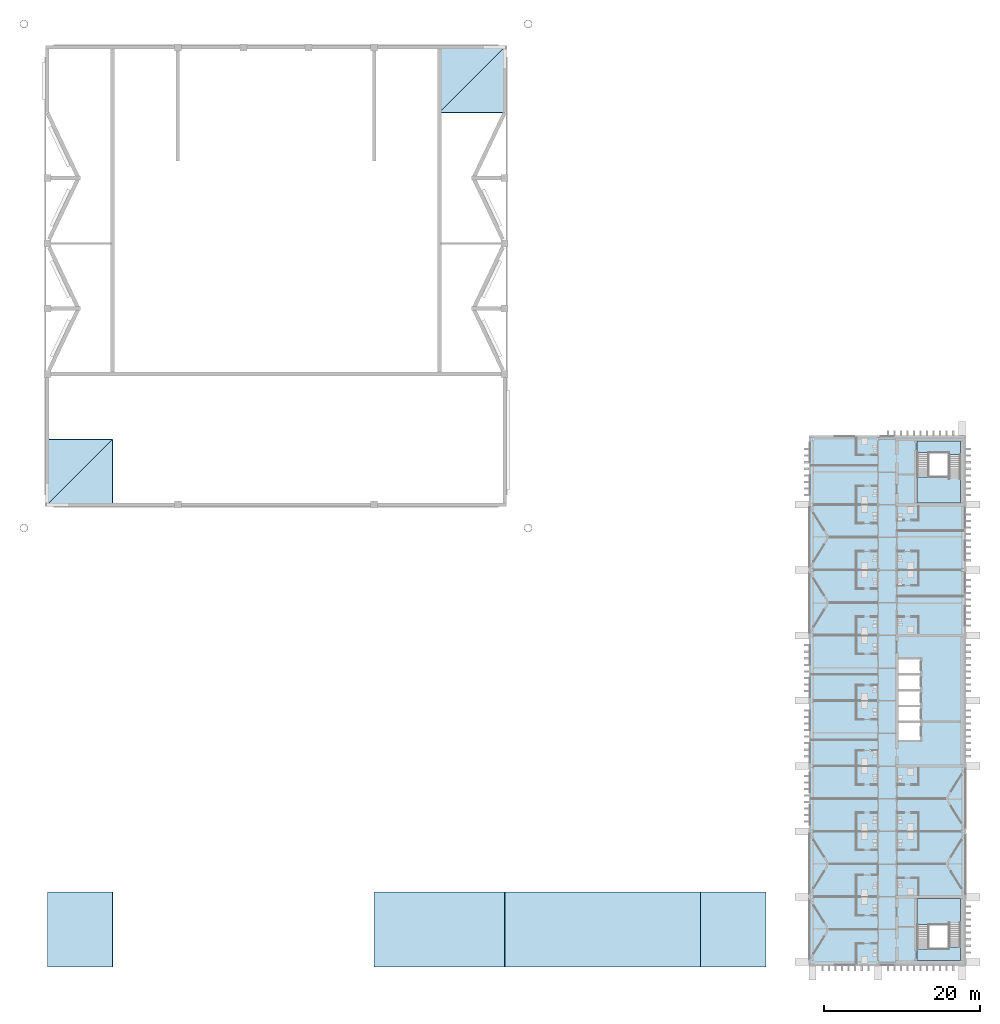
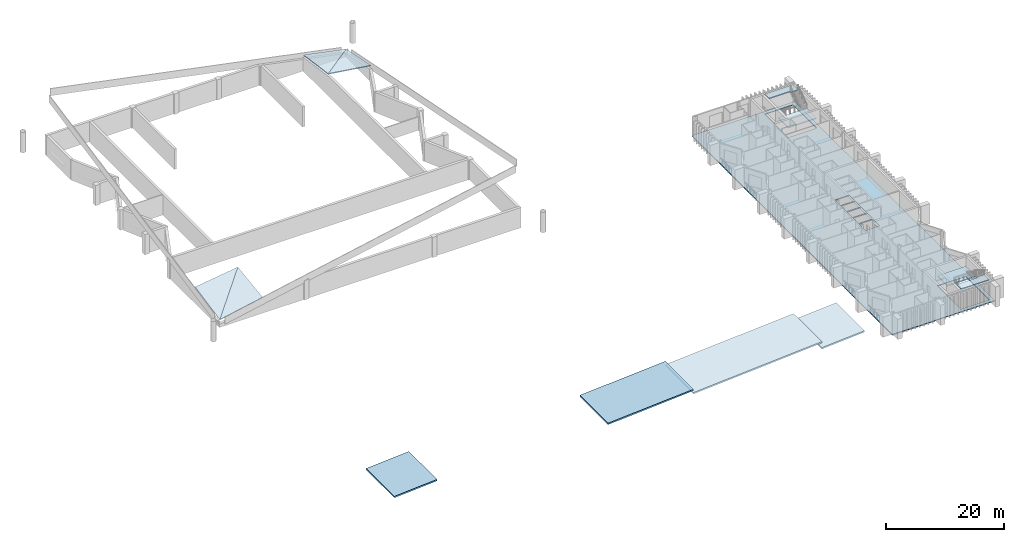
# One storey, part 8 of 21: 13 slabs, 2 elements without a shape of their own.
"""IFC4 building model written with IfcOpenShell, lengths in metres."""

from ifc_helpers import new_model, si_unit, direction, frame, origin, place, context, subcontext, project, spatial, polyline, outline, extrude, material, layer, layer_set, type_object, element, aggregate, save


model = new_model("IFC4")

# Units and contexts
model_context = context("Model", 3, precision=1e-05, world=origin(), true_north=direction((0.0, 1.0)))
body_context = subcontext(model_context, "Body", "Model", "MODEL_VIEW")
ifc_project = project(units=[si_unit("LENGTHUNIT", "METRE"), si_unit("AREAUNIT", "SQUARE_METRE"), si_unit("VOLUMEUNIT", "CUBIC_METRE"), si_unit("PLANEANGLEUNIT", "RADIAN"), si_unit("MASSUNIT", "GRAM", prefix="KILO")], contexts=[model_context])

# Site, building, storey
site_placement = place(None, origin())
site = spatial("IfcSite", under=ifc_project, at=site_placement, CompositionType="ELEMENT")
building_placement = place(site_placement, origin())
building = spatial("IfcBuilding", under=site, at=building_placement, Name="Cresset Court Congress Hotel", CompositionType="ELEMENT")
storey_placement = place(building_placement, frame((0.0, 0.0, 22.800048828125)))
storey = spatial("IfcBuildingStorey", under=building, at=storey_placement, Name="L05", CompositionType="ELEMENT", Elevation=22.800048828125)

# Slabs
ifc_material_1 = material(Name="Concrete C35", Category="concrete")
ifc_layer_1 = layer(ifc_material_1, 0.14990234375)
ifc_layer_set_1 = layer_set([ifc_layer_1], Name="Composite floor slab 150")
slab_type_1 = type_object("IfcSlabType", Name="Composite floor slab 150", PredefinedType="FLOOR", material=ifc_layer_set_1)
slab_1_placement = place(storey_placement, frame((0.0, 0.0, -0.150146484375)))
element("IfcSlab", 1, at=slab_1_placement, inside=storey, type_object=slab_type_1, Name="A.slab.L05", PredefinedType="FLOOR", context=body_context, shape_type="SweptSolid", body=[
    extrude(outline(polyline([(156.699951171875, -0.5), (176.89990234375, -0.5), (176.89990234375, 67.699951171875), (156.699951171875, 67.699951171875), (156.699951171875, -0.5)]), holes=[polyline([(170.60009765625, 0.199951171875), (176.199951171875, 0.199951171875), (176.199951171875, 8.199951171875), (170.60009765625, 8.199951171875), (170.60009765625, 0.199951171875)]), polyline([(170.60009765625, 59.0), (176.199951171875, 59.0), (176.199951171875, 67.0), (170.60009765625, 67.0), (170.60009765625, 59.0)]), polyline([(168.25, 28.550048828125), (171.0, 28.550048828125), (171.0, 30.75), (168.25, 30.75), (168.25, 28.550048828125)]), polyline([(168.25, 31.0), (171.0, 31.0), (171.0, 32.800048828125), (168.25, 32.800048828125), (168.25, 31.0)]), polyline([(168.25, 33.050048828125), (171.0, 33.050048828125), (171.0, 34.85009765625), (168.25, 34.85009765625), (168.25, 33.050048828125)]), polyline([(168.25, 35.10009765625), (171.0, 35.10009765625), (171.0, 36.89990234375), (168.25, 36.89990234375), (168.25, 35.10009765625)]), polyline([(168.25, 37.14990234375), (171.0, 37.14990234375), (171.0, 38.949951171875), (168.25, 38.949951171875), (168.25, 37.14990234375)])]), origin(), (0.0, 0.0, 1.0), 0.150146484375),
])
ifc_material_2 = material(Name="Concrete C50", Category="concrete")
ifc_layer_2 = layer(ifc_material_2, 0.300048828125)
ifc_layer_set_2 = layer_set([ifc_layer_2], Name="Folded roof plate 300")
slab_type_2 = type_object("IfcSlabType", Name="Folded roof plate 300", PredefinedType="ROOF", material=ifc_layer_set_2)
slab_2_placement = place(storey_placement, frame((58.800048828125, -0.60009765625, 0.699951171875), z_axis=(-0.069817009688, 0.0, 0.997559815329), x_axis=(0.997559815329, 0.0, 0.069817009688)))
element("IfcSlab", 2, at=slab_2_placement, inside=storey, type_object=slab_type_2, Name="Folded roof plate 3", PredefinedType="ROOF", context=body_context, shape_type="SweptSolid", body=[
    extrude(outline(polyline([(0.0, 0.0), (8.420449796269772, 0.0), (8.420449796269772, 9.600097656249998), (0.0, 9.600097656249998), (0.0, 0.0)])), origin(), (0.0, 0.0, -1.0), 0.300048828125),
])
slab_3_placement = place(storey_placement, frame((100.800048828125, -0.60009765625, 1.199951171875), z_axis=(-0.069830426038, 0.0, 0.997558876257), x_axis=(0.997558876257, 0.0, 0.069830426038)))
element("IfcSlab", 3, at=slab_3_placement, inside=storey, type_object=slab_type_2, Name="Folded roof plate 4", PredefinedType="ROOF", context=body_context, shape_type="SweptSolid", body=[
    extrude(outline(polyline([(0.0, 0.0), (16.841160184107835, 0.0), (16.841160184107835, 9.600097656250002), (0.0, 9.600097656250002), (0.0, 0.0)])), origin(), (0.0, 0.0, -1.0), 0.300048828125),
])
slab_4_placement = place(storey_placement, frame((117.60009765625, -0.60009765625, 1.699951171875), z_axis=(-0.069825953969, 0.0, 0.997559189298), x_axis=(0.997559189298, 0.0, 0.069825953969)))
element("IfcSlab", 4, at=slab_4_placement, inside=storey, type_object=slab_type_2, Name="Folded roof plate 5", PredefinedType="ROOF", context=body_context, shape_type="SweptSolid", body=[
    extrude(outline(polyline([(0.0, 0.0), (25.261609979869903, 0.0), (25.261609979869903, 9.600097656250002), (0.0, 9.600097656250002), (0.0, 0.0)])), origin(), (0.0, 0.0, -1.0), 0.300048828125),
])
slab_5_placement = place(storey_placement, frame((142.800048828125, -0.60009765625, 2.199951171875), z_axis=(-0.069817009688, 0.0, 0.997559815329), x_axis=(0.997559815329, 0.0, 0.069817009688)))
element("IfcSlab", 5, at=slab_5_placement, inside=storey, type_object=slab_type_2, Name="Folded roof plate 6", PredefinedType="ROOF", context=body_context, shape_type="SweptSolid", body=[
    extrude(outline(polyline([(0.0, 0.0), (8.420449796269772, 0.0), (8.420449796269772, 9.600097656249998), (0.0, 9.600097656249998), (0.0, 0.0)])), origin(), (0.0, 0.0, -1.0), 0.300048828125),
])
ifc_material_3 = material(Name="Titanium-zinc standing seam roof panel")
ifc_layer_3 = layer(ifc_material_3, 0.14990234375)
ifc_layer_set_3 = layer_set([ifc_layer_3], Name="Roof cover facet 150")
slab_type_3 = type_object("IfcSlabType", Name="Roof cover facet 150", PredefinedType="ROOF", material=ifc_layer_set_3)
slab_6_placement = place(storey_placement, frame((58.800048828125, 58.800048828125, 1.430419921875), z_axis=(-0.19485318531, -0.139176815344, 0.970907848483), x_axis=(0.980450032627, 0.0, 0.196768222847)))
element("IfcSlab", 6, at=slab_6_placement, inside=storey, type_object=slab_type_3, Name="Roof panel RP-11A", PredefinedType="ROOF", context=body_context, shape_type="SweptSolid", body=[
    extrude(outline(polyline([(0.0, 0.0), (8.567394629226479, 0.0), (8.804323553807345, 8.482457464794543), (0.0, 0.0)])), origin(), (0.0, 0.0, -1.0), 0.14990234375),
])
slab_7_placement = place(storey_placement, frame((58.800048828125, 58.800048828125, 1.430419921875), z_axis=(-0.139176815344, -0.19485318531, 0.970907848483), x_axis=(0.687068183527, 0.687068183527, 0.236378134291)))
element("IfcSlab", 7, at=slab_7_placement, inside=storey, type_object=slab_type_3, Name="Roof panel RP-11B", PredefinedType="ROOF", context=body_context, shape_type="SweptSolid", body=[
    extrude(outline(polyline([(0.0, 0.0), (12.225718706161018, 4.163336342344337e-17), (6.169789780199102, 5.944236267263394), (0.0, 0.0)])), origin(), (0.0, 0.0, -1.0), 0.14990234375),
])
slab_8_placement = place(storey_placement, frame((109.199951171875, 109.199951171875, 4.3203125), z_axis=(0.139173002253, 0.194847846828, 0.970909466444), x_axis=(0.989882060194, 0.0, -0.141892589324)))
element("IfcSlab", 8, at=slab_8_placement, inside=storey, type_object=slab_type_3, Name="Roof panel RP-77A", PredefinedType="ROOF", context=body_context, shape_type="SweptSolid", body=[
    extrude(outline(polyline([(0.0, 0.0), (8.486007396401009, 0.0), (8.725208648667582, 8.564294195567651), (0.0, 0.0)])), origin(), (0.0, 0.0, -1.0), 0.14990234375),
])
slab_9_placement = place(storey_placement, frame((109.199951171875, 109.199951171875, 4.3203125), z_axis=(0.194847846828, 0.139173002253, 0.970909466444), x_axis=(0.687069299265, 0.687069299265, -0.236371648077)))
element("IfcSlab", 9, at=slab_9_placement, inside=storey, type_object=slab_type_3, Name="Roof panel RP-77B", PredefinedType="ROOF", context=body_context, shape_type="SweptSolid", body=[
    extrude(outline(polyline([(0.0, 0.0), (12.226054188944907, -4.996003610813204e-16), (6.056098229524116, 5.94440878188298), (0.0, 0.0)])), origin(), (0.0, 0.0, -1.0), 0.14990234375),
])

# Stair, slabs
ifc_material_4 = material(Name="Concrete C40", Category="concrete")
stair_type = type_object("IfcStairType", Name="Concrete dog-leg stair 5600", PredefinedType="HALF_TURN_STAIR", material=ifc_material_4)
stair_1_placement = place(storey_placement, origin())
stair_1 = element("IfcStair", 10, at=stair_1_placement, inside=storey, type_object=stair_type, Name="Stair A1 L05", PredefinedType="HALF_TURN_STAIR")
ifc_material_5 = material(Name="Concrete C40", Category="concrete")
ifc_layer_4 = layer(ifc_material_5, 0.199951171875)
ifc_layer_set_4 = layer_set([ifc_layer_4], Name="Stair landing 200")
slab_type_4 = type_object("IfcSlabType", Name="Stair landing 200", PredefinedType="LANDING", material=ifc_layer_set_4)
slab_10_placement = place(storey_placement, frame((0.0, 0.0, 1.89990234375)))
slab_10 = element("IfcSlab", 11, at=slab_10_placement, type_object=slab_type_4, Name="A-ST1 landing 1", PredefinedType="LANDING", context=body_context, shape_type="SweptSolid", body=[
    extrude(outline(polyline([(170.60009765625, 4.819091796875), (176.199951171875, 4.819091796875), (176.199951171875, 8.199951171875), (170.60009765625, 8.199951171875), (170.60009765625, 4.819091796875)])), origin(), (0.0, 0.0, 1.0), 0.199951171875),
])
slab_11_placement = place(storey_placement, frame((0.0, 0.0, 4.0)))
slab_11 = element("IfcSlab", 12, at=slab_11_placement, type_object=slab_type_4, Name="A-ST1 landing 2", PredefinedType="LANDING", context=body_context, shape_type="SweptSolid", body=[
    extrude(outline(polyline([(170.60009765625, 0.199951171875), (176.199951171875, 0.199951171875), (176.199951171875, 1.960693359375), (174.699951171875, 1.960693359375), (174.699951171875, 1.70068359375), (170.60009765625, 1.70068359375), (170.60009765625, 0.199951171875)])), origin(), (0.0, 0.0, 1.0), 0.199951171875),
])
aggregate(stair_1, [slab_10, slab_11])

stair_2_placement = place(storey_placement, origin())
stair_2 = element("IfcStair", 13, at=stair_2_placement, inside=storey, type_object=stair_type, Name="Stair A2 L05", PredefinedType="HALF_TURN_STAIR")
slab_12_placement = place(storey_placement, frame((0.0, 0.0, 1.89990234375)))
slab_12 = element("IfcSlab", 14, at=slab_12_placement, type_object=slab_type_4, Name="A-ST1 landing 1", PredefinedType="LANDING", context=body_context, shape_type="SweptSolid", body=[
    extrude(outline(polyline([(170.60009765625, 62.380859375), (176.199951171875, 62.380859375), (176.199951171875, 59.0), (170.60009765625, 59.0), (170.60009765625, 62.380859375)])), origin(), (0.0, 0.0, 1.0), 0.199951171875),
])
slab_13_placement = place(storey_placement, frame((0.0, 0.0, 4.0)))
slab_13 = element("IfcSlab", 15, at=slab_13_placement, type_object=slab_type_4, Name="A-ST1 landing 2", PredefinedType="LANDING", context=body_context, shape_type="SweptSolid", body=[
    extrude(outline(polyline([(170.60009765625, 67.0), (176.199951171875, 67.0), (176.199951171875, 65.2392578125), (174.699951171875, 65.2392578125), (174.699951171875, 65.499267578125), (170.60009765625, 65.499267578125), (170.60009765625, 67.0)])), origin(), (0.0, 0.0, 1.0), 0.199951171875),
])
aggregate(stair_2, [slab_12, slab_13])

save(model, "model.ifc")
